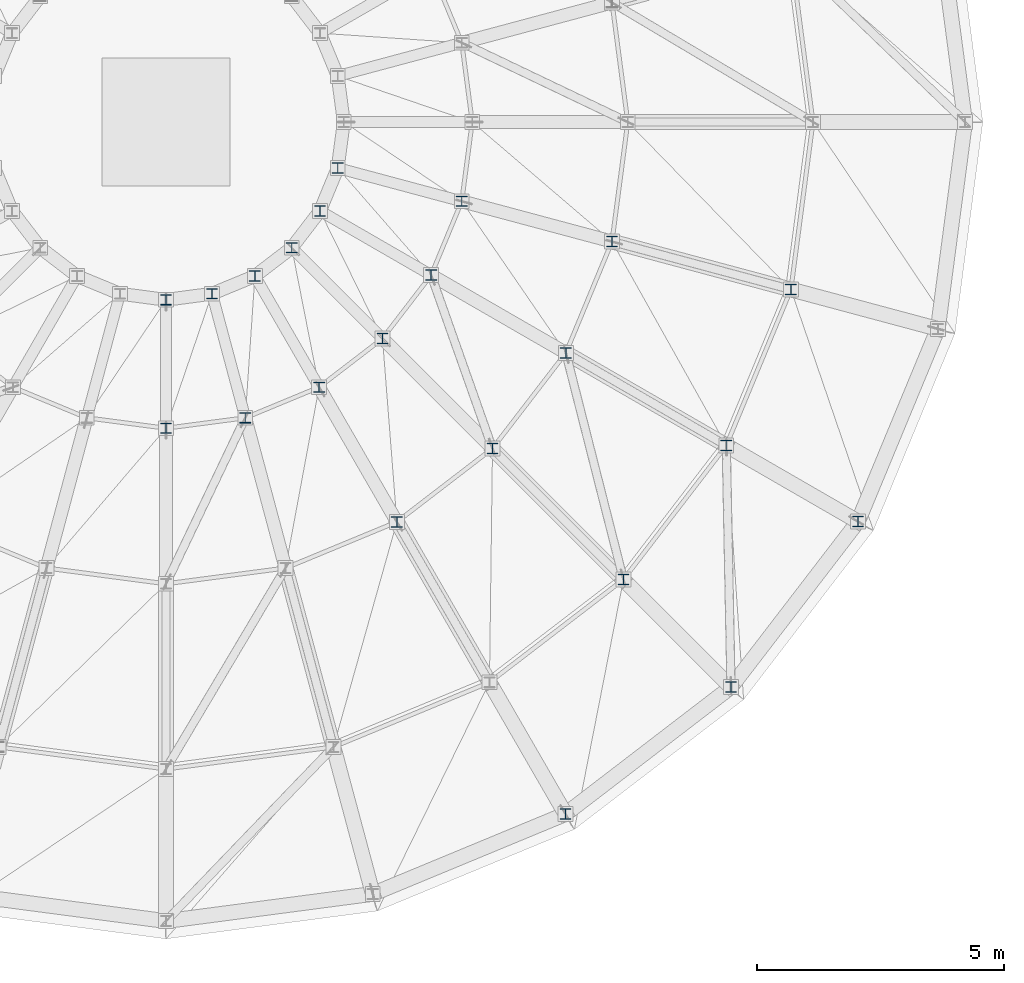
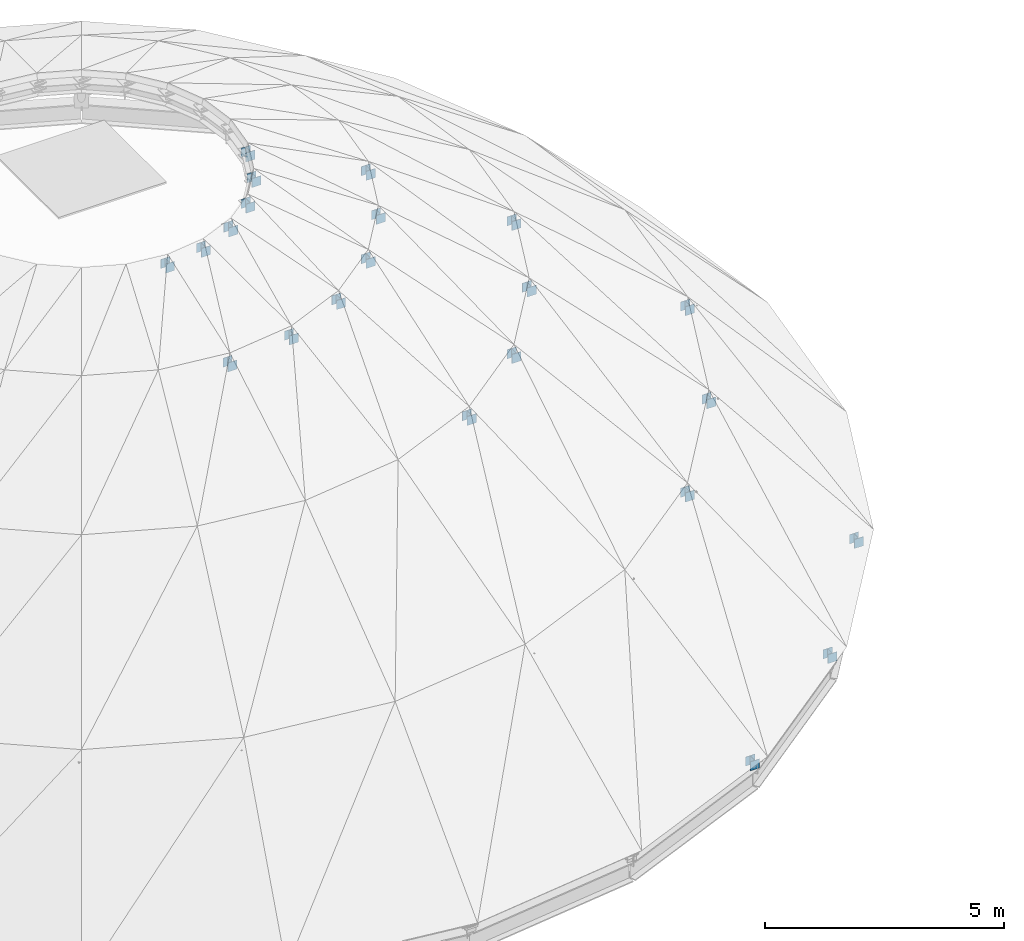
# One storey, part 7 of 19: 22 members.
"""IFC4 building model written with IfcOpenShell, lengths in metres."""

from ifc_helpers import new_model, si_unit, direction, frame, origin, origin_2d, place, context, subcontext, project, spatial, i_section, extrude, material, material_profile, profile_set, type_object, element, save


model = new_model("IFC4")

# Units and contexts
model_context = context("Model", 3, precision=1e-05, world=origin(), true_north=direction((0.0, 1.0)))
body_context = subcontext(model_context, "Body", "Model", "MODEL_VIEW")
ifc_project = project(units=[si_unit("LENGTHUNIT", "METRE"), si_unit("AREAUNIT", "SQUARE_METRE"), si_unit("VOLUMEUNIT", "CUBIC_METRE"), si_unit("PLANEANGLEUNIT", "RADIAN"), si_unit("MASSUNIT", "GRAM", prefix="KILO")], contexts=[model_context])

# Site, building, storey
site_placement = place(None, origin())
site = spatial("IfcSite", under=ifc_project, at=site_placement, CompositionType="ELEMENT")
building_placement = place(site_placement, origin())
building = spatial("IfcBuilding", under=site, at=building_placement, Name="Montecoro Central Library", CompositionType="ELEMENT")
storey_placement = place(building_placement, frame((0.0, 0.0, 25.5)))
storey = spatial("IfcBuildingStorey", under=building, at=storey_placement, Name="ROOF", CompositionType="ELEMENT", Elevation=25.5)

# Members
ifc_material = material(Name="Steel S355", Category="steel")
ifc_material_profile = material_profile(ifc_material, i_section(OverallWidth=0.219970703125, OverallDepth=0.2099609375, WebThickness=0.007080078125, FlangeThickness=0.010986328125, at=origin_2d()), Name="HEA 220")
ifc_profile_set = profile_set([ifc_material_profile], Name="Steel S355")
member_type = type_object("IfcMemberType", Name="MB-TD-HEA220", PredefinedType="STRUT", material=ifc_profile_set)
for number, where, z_axis, x_axis, name in (
    (1, (99.68994140625, 21.387939453125, -8.159912109375), (0.0, 0.0, 1.0), (1.0, 0.0, 0.0), "V1-DOME-STOOL-R0-21"),
    (2, (103.041015625, 23.958984375, -8.159912109375), (0.0, 0.0, 1.0), (1.0, 0.0, 0.0), "V1-DOME-STOOL-R0-22"),
    (3, (105.612060546875, 27.31005859375, -8.159912109375), (0.0, 0.0, 1.0), (1.0, 0.0, 0.0), "V1-DOME-STOOL-R0-23"),
    (4, (100.863037109375, 26.136962890625, -4.60009765625), (0.0, 0.0, 1.0), (1.0, 0.0, 0.0), "V1-DOME-STOOL-R1-22"),
    (5, (102.945068359375, 28.85009765625, -4.60009765625), (0.0, 0.0, 1.0), (1.0, 0.0, 0.0), "V1-DOME-STOOL-R1-23"),
    (6, (104.25390625, 32.009033203125, -4.60009765625), (0.0, 0.0, 1.0), (1.0, 0.0, 0.0), "V1-DOME-STOOL-R1-24"),
    (7, (96.27490234375, 27.302978515625, -1.75), (0.0, 0.0, 1.0), (1.0, 0.0, 0.0), "V1-DOME-STOOL-R2-21"),
    (8, (98.2109375, 28.7890625, -1.75), (0.0, 0.0, 1.0), (1.0, 0.0, 0.0), "V1-DOME-STOOL-R2-22"),
    (9, (99.697021484375, 30.72509765625, -1.75), (0.0, 0.0, 1.0), (1.0, 0.0, 0.0), "V1-DOME-STOOL-R2-23"),
    (10, (100.631103515625, 32.97998046875, -1.75), (0.0, 0.0, 1.0), (1.0, 0.0, 0.0), "V1-DOME-STOOL-R2-24"),
    (11, (91.60009765625, 29.199951171875, 0.10009765625), (0.0, 0.0, 1.0), (1.0, 0.0, 0.0), "V1-DOME-STOOL-R3-19"),
    (12, (93.205078125, 29.410888671875, 0.10009765625), (0.0, 0.0, 1.0), (1.0, 0.0, 0.0), "V1-DOME-STOOL-R3-20"),
    (13, (94.699951171875, 30.031005859375, 0.10009765625), (0.0, 0.0, 1.0), (1.0, 0.0, 0.0), "V1-DOME-STOOL-R3-21"),
    (14, (95.98388671875, 31.01611328125, 0.10009765625), (0.0, 0.0, 1.0), (1.0, 0.0, 0.0), "V1-DOME-STOOL-R3-22"),
    (15, (96.968994140625, 32.300048828125, 0.10009765625), (0.0, 0.0, 1.0), (1.0, 0.0, 0.0), "V1-DOME-STOOL-R3-23"),
    (16, (97.589111328125, 33.794921875, 0.10009765625), (0.0, 0.0, 1.0), (1.0, 0.0, 0.0), "V1-DOME-STOOL-R3-24"),
    (17, (91.60009765625, 31.800048828125, 1.0400390625), (0.0, 0.0, 1.0), (1.0, 0.0, 0.0), "V1-DOME-STOOL-R4-19"),
    (18, (92.531982421875, 31.923095703125, 1.0400390625), (0.0, 0.0, 1.0), (1.0, 0.0, 0.0), "V1-DOME-STOOL-R4-20"),
    (19, (93.39990234375, 32.281982421875, 1.0400390625), (0.0, 0.0, 1.0), (1.0, 0.0, 0.0), "V1-DOME-STOOL-R4-21"),
    (20, (94.14599609375, 32.85400390625, 1.0400390625), (0.0, 0.0, 1.0), (1.0, 0.0, 0.0), "V1-DOME-STOOL-R4-22"),
    (21, (94.718017578125, 33.60009765625, 1.0400390625), (0.0, 0.0, 1.0), (1.0, 0.0, 0.0), "V1-DOME-STOOL-R4-23"),
    (22, (95.076904296875, 34.468017578125, 1.0400390625), (0.0, 0.0, 1.0), (1.0, 0.0, 0.0), "V1-DOME-STOOL-R4-24"),
):
    element("IfcMember", number, at=place(storey_placement, frame(where, z_axis=z_axis, x_axis=x_axis)), inside=storey, type_object=member_type, Name=name, PredefinedType="STRUT", context=body_context, shape_type="SweptSolid", body=[
        extrude(i_section(OverallWidth=0.219970703125, OverallDepth=0.2099609375, WebThickness=0.007080078125, FlangeThickness=0.010986328125, at=origin_2d()), origin(), (0.0, 0.0, 1.0), 0.22998046875),
    ])

save(model, "model.ifc")
